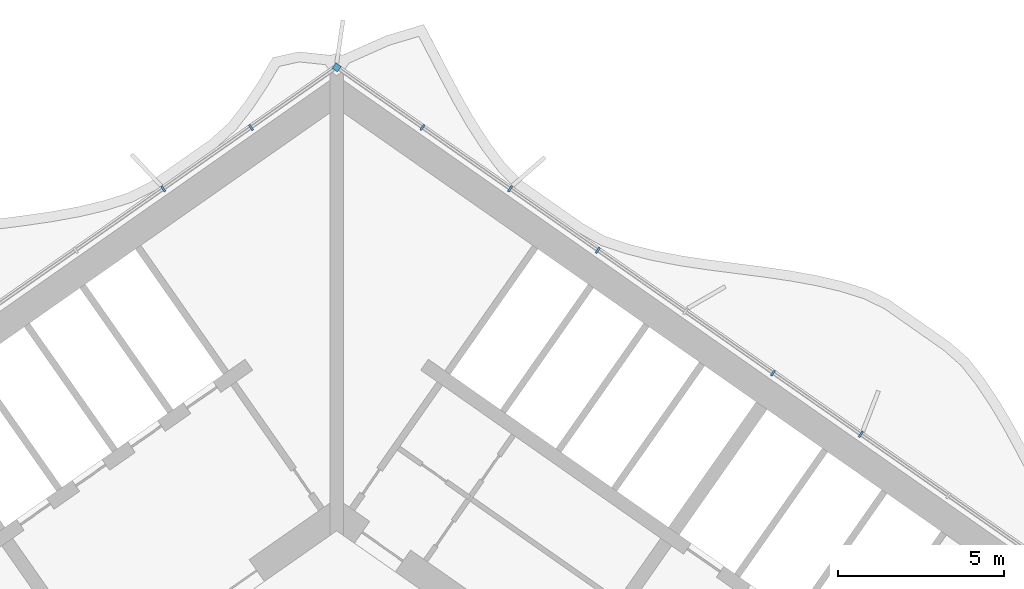
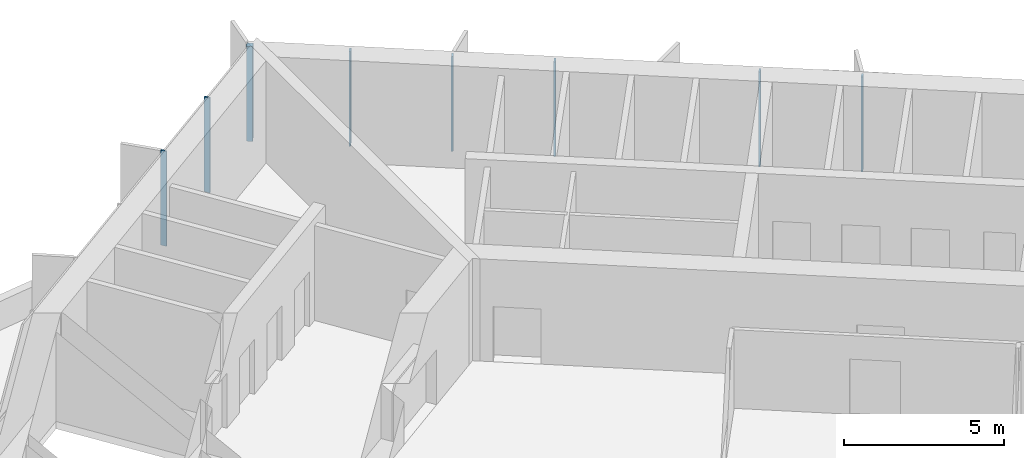
# One storey, part 9 of 23: 8 members, 1 element without a shape of its own.
"""IFC4 building model written with IfcOpenShell, lengths in metres."""

from ifc_helpers import new_model, si_unit, direction, frame, origin, origin_2d, place, context, subcontext, project, spatial, rectangle, extrude, material, material_profile, profile_set, type_object, element, aggregate, save


model = new_model("IFC4")

# Units and contexts
model_context = context("Model", 3, precision=1e-05, world=origin(), true_north=direction((0.0, 1.0)))
body_context = subcontext(model_context, "Body", "Model", "MODEL_VIEW")
ifc_project = project(units=[si_unit("LENGTHUNIT", "METRE"), si_unit("AREAUNIT", "SQUARE_METRE"), si_unit("VOLUMEUNIT", "CUBIC_METRE"), si_unit("PLANEANGLEUNIT", "RADIAN"), si_unit("MASSUNIT", "GRAM", prefix="KILO")], contexts=[model_context])

# Site, building, storey
site_placement = place(None, origin())
site = spatial("IfcSite", under=ifc_project, at=site_placement, CompositionType="ELEMENT")
building_placement = place(site_placement, origin())
building = spatial("IfcBuilding", under=site, at=building_placement, Name="Tel Ilan Convention Tower", CompositionType="ELEMENT")
storey_placement = place(building_placement, frame((0.0, 0.0, 171.0)))
storey = spatial("IfcBuildingStorey", under=building, at=storey_placement, Name="L39", CompositionType="ELEMENT", Elevation=171.0)

# Curtain wall, members
ifc_material_1 = material(Name="Aluminium, bronze anodised", Category="aluminium")
curtain_wall_type = type_object("IfcCurtainWallType", Name="CW2 STICK CURTAIN WALL, SPANDREL PANELS", PredefinedType="NOTDEFINED", material=ifc_material_1)
curtain_wall_placement = place(storey_placement, origin())
curtain_wall = element("IfcCurtainWall", 1, at=curtain_wall_placement, inside=storey, type_object=curtain_wall_type, Name="Curtain wall CW2-31.01", PredefinedType="NOTDEFINED")
ifc_material_2 = material(Name="Aluminium, bronze anodised", Category="aluminium")
ifc_material_profile_1 = material_profile(ifc_material_2, rectangle(XDim=0.199951171875, YDim=0.199951171875, at=origin_2d()), Name="CW CORNER MULLION 200x200")
ifc_profile_set_1 = profile_set([ifc_material_profile_1], Name="Aluminium, bronze anodised")
member_type_1 = type_object("IfcMemberType", Name="CW CORNER MULLION 200x200", PredefinedType="MULLION", material=ifc_profile_set_1)
member_1_placement = place(storey_placement, frame((0.0, 12.696044921875, 0.0), z_axis=(0.0, 0.0, 1.0), x_axis=(-0.819152044289, 0.573576436351, 0.0)))
member_1 = element("IfcMember", 2, at=member_1_placement, type_object=member_type_1, Name="Corner mullion", PredefinedType="MULLION", context=body_context, shape_type="SweptSolid", body=[
    extrude(rectangle(XDim=0.199951171875, YDim=0.199951171875, at=origin_2d()), origin(), (0.0, 0.0, 1.0), 3.6201171875),
])
ifc_material_3 = material(Name="Aluminium, bronze anodised", Category="aluminium")
ifc_material_profile_2 = material_profile(ifc_material_3, rectangle(XDim=0.06005859375, YDim=0.199951171875, at=origin_2d()), Name="CW MULLION 60x200")
ifc_profile_set_2 = profile_set([ifc_material_profile_2], Name="Aluminium, bronze anodised")
member_type_2 = type_object("IfcMemberType", Name="CW MULLION 60x200", PredefinedType="MULLION", material=ifc_profile_set_2)
member_2_placement = place(storey_placement, frame((15.73828125, 1.676025390625, 0.0), z_axis=(0.0, 0.0, 1.0), x_axis=(-0.819152044289, 0.573576436351, 0.0)))
member_2 = element("IfcMember", 3, at=member_2_placement, type_object=member_type_2, Name="Mullion", PredefinedType="MULLION", context=body_context, shape_type="SweptSolid", body=[
    extrude(rectangle(XDim=0.06005859375, YDim=0.199951171875, at=origin_2d()), origin(), (0.0, 0.0, 1.0), 3.6201171875),
])
member_3_placement = place(storey_placement, frame((13.105712890625, 3.519287109375, 0.0), z_axis=(0.0, 0.0, 1.0), x_axis=(-0.819152044289, 0.573576436351, 0.0)))
member_3 = element("IfcMember", 4, at=member_3_placement, type_object=member_type_2, Name="Mullion", PredefinedType="MULLION", context=body_context, shape_type="SweptSolid", body=[
    extrude(rectangle(XDim=0.06005859375, YDim=0.199951171875, at=origin_2d()), origin(), (0.0, 0.0, 1.0), 3.6201171875),
])
member_4_placement = place(storey_placement, frame((7.840576171875, 7.2060546875, 0.0), z_axis=(0.0, 0.0, 1.0), x_axis=(-0.819152044289, 0.573576436351, 0.0)))
member_4 = element("IfcMember", 5, at=member_4_placement, type_object=member_type_2, Name="Mullion", PredefinedType="MULLION", context=body_context, shape_type="SweptSolid", body=[
    extrude(rectangle(XDim=0.06005859375, YDim=0.199951171875, at=origin_2d()), origin(), (0.0, 0.0, 1.0), 3.6201171875),
])
member_5_placement = place(storey_placement, frame((5.207763671875, 9.049560546875, 0.0), z_axis=(0.0, 0.0, 1.0), x_axis=(-0.819152044289, 0.573576436351, 0.0)))
member_5 = element("IfcMember", 6, at=member_5_placement, type_object=member_type_2, Name="Mullion", PredefinedType="MULLION", context=body_context, shape_type="SweptSolid", body=[
    extrude(rectangle(XDim=0.06005859375, YDim=0.199951171875, at=origin_2d()), origin(), (0.0, 0.0, 1.0), 3.6201171875),
])
member_6_placement = place(storey_placement, frame((2.5751953125, 10.892822265625, 0.0), z_axis=(0.0, 0.0, 1.0), x_axis=(-0.819152044289, 0.573576436351, 0.0)))
member_6 = element("IfcMember", 7, at=member_6_placement, type_object=member_type_2, Name="Mullion", PredefinedType="MULLION", context=body_context, shape_type="SweptSolid", body=[
    extrude(rectangle(XDim=0.06005859375, YDim=0.199951171875, at=origin_2d()), origin(), (0.0, 0.0, 1.0), 3.6201171875),
])
member_7_placement = place(storey_placement, frame((-2.5751953125, 10.892822265625, 0.0), z_axis=(0.0, 0.0, 1.0), x_axis=(-0.819152044289, -0.573576436351, 0.0)))
member_7 = element("IfcMember", 8, at=member_7_placement, type_object=member_type_2, Name="Mullion", PredefinedType="MULLION", context=body_context, shape_type="SweptSolid", body=[
    extrude(rectangle(XDim=0.06005859375, YDim=0.199951171875, at=origin_2d()), origin(), (0.0, 0.0, 1.0), 3.6201171875),
])
member_8_placement = place(storey_placement, frame((-5.207763671875, 9.049560546875, 0.0), z_axis=(0.0, 0.0, 1.0), x_axis=(-0.819152044289, -0.573576436351, 0.0)))
member_8 = element("IfcMember", 9, at=member_8_placement, type_object=member_type_2, Name="Mullion", PredefinedType="MULLION", context=body_context, shape_type="SweptSolid", body=[
    extrude(rectangle(XDim=0.06005859375, YDim=0.199951171875, at=origin_2d()), origin(), (0.0, 0.0, 1.0), 3.6201171875),
])
aggregate(curtain_wall, [member_2, member_3, member_4, member_5, member_6, member_1, member_7, member_8])

save(model, "model.ifc")
